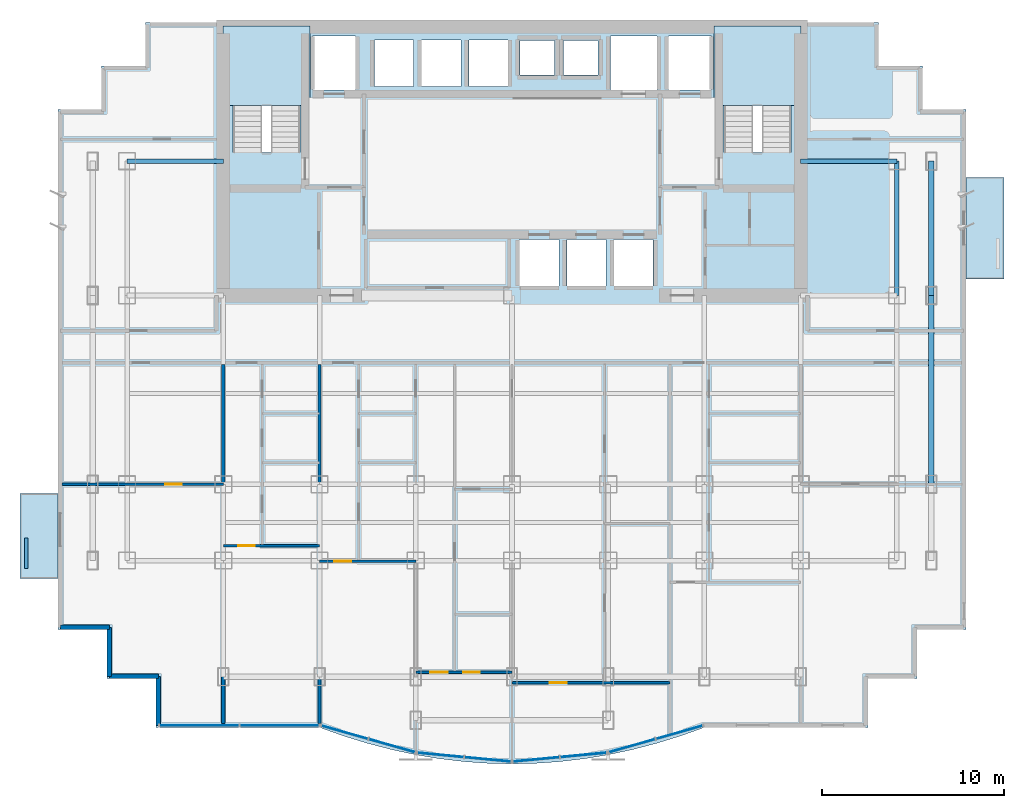
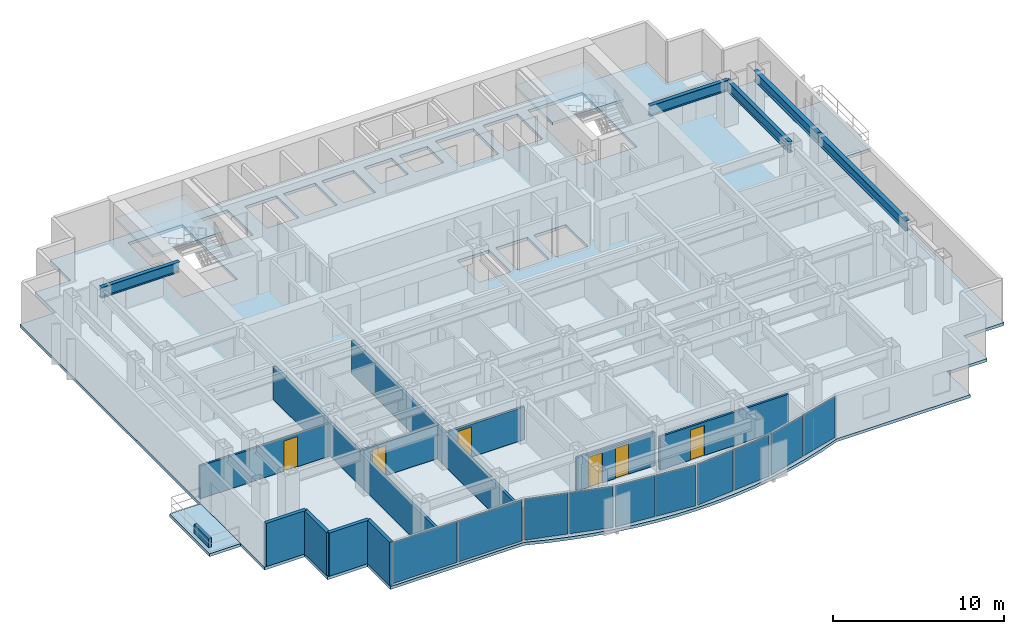
# One storey, part 4 of 10: 12 walls, 10 plates, 6 doors, 5 beams, 5 slabs, 6 openings, 7 elements without a shape of their own.
"""IFC4 building model written with IfcOpenShell, lengths in metres."""

from ifc_helpers import new_model, si_unit, direction, frame, frame_2d, origin, origin_2d, place, context, subcontext, project, spatial, polyline, rectangle, i_section, outline, extrude, source, transform, mapped, material, layer, layer_set, material_profile, profile_set, type_object, element, fill, aggregate, save


model = new_model("IFC4")

# Units and contexts
model_context = context("Model", 3, precision=1e-05, world=origin(), true_north=direction((0.0, 1.0)))
body_context = subcontext(model_context, "Body", "Model", "MODEL_VIEW")
ifc_project = project(units=[si_unit("LENGTHUNIT", "METRE"), si_unit("AREAUNIT", "SQUARE_METRE"), si_unit("VOLUMEUNIT", "CUBIC_METRE"), si_unit("PLANEANGLEUNIT", "RADIAN"), si_unit("MASSUNIT", "GRAM", prefix="KILO")], contexts=[model_context])

# Site, building, storey
site_placement = place(None, origin())
site = spatial("IfcSite", under=ifc_project, at=site_placement, CompositionType="ELEMENT")
building_placement = place(site_placement, origin())
building = spatial("IfcBuilding", under=site, at=building_placement, Name="Qianlan Lanfeng Residences", CompositionType="ELEMENT")
storey_placement = place(building_placement, frame((0.0, 0.0, 114.699951171875)))
storey = spatial("IfcBuildingStorey", under=building, at=storey_placement, Name="L31", CompositionType="ELEMENT", Elevation=114.699951171875)

# Beams
ifc_material_1 = material(Name="Steel SN490B", Category="steel")
ifc_material_profile_1 = material_profile(ifc_material_1, i_section(OverallWidth=0.25, OverallDepth=0.75, WebThickness=0.013916015625, FlangeThickness=0.02490234375, at=origin_2d()), Name="H 750x250x14x25")
ifc_profile_set_1 = profile_set([ifc_material_profile_1], Name="Steel SN490B")
beam_type_1 = type_object("IfcBeamType", Name="G-850", PredefinedType="BEAM", material=ifc_profile_set_1)
for number, where, z_axis, x_axis, name in (
    (1, (5.300048828125, 32.60009765625, 2.715087890625), (1.0, 0.0, 0.0), (0.0, 1.0, 0.0), "Structural beam G-850"),
    (2, (42.39990234375, 32.60009765625, 2.715087890625), (1.0, 0.0, 0.0), (0.0, 1.0, 0.0), "Structural beam G-850"),
):
    element("IfcBeam", number, at=place(storey_placement, frame(where, z_axis=z_axis, x_axis=x_axis)), inside=storey, type_object=beam_type_1, Name=name, PredefinedType="BEAM", context=body_context, shape_type="SweptSolid", body=[
        extrude(i_section(OverallWidth=0.25, OverallDepth=0.75, WebThickness=0.013916015625, FlangeThickness=0.02490234375, at=origin_2d()), origin(), (0.0, 0.0, 1.0), 5.300048828125),
    ])
beam_1_placement = place(storey_placement, frame((47.699951171875, 25.199951171875, 2.715087890625), z_axis=(0.0, 1.0, 0.0), x_axis=(-1.0, 0.0, 0.0)))
element("IfcBeam", 3, at=beam_1_placement, inside=storey, type_object=beam_type_1, Name="Structural beam G-850", PredefinedType="BEAM", context=body_context, shape_type="SweptSolid", body=[
    extrude(i_section(OverallWidth=0.25, OverallDepth=0.75, WebThickness=0.013916015625, FlangeThickness=0.02490234375, at=origin_2d()), origin(), (0.0, 0.0, 1.0), 7.400146484375),
])
ifc_material_profile_2 = material_profile(ifc_material_1, i_section(OverallWidth=0.300048828125, OverallDepth=0.699951171875, WebThickness=0.012939453125, FlangeThickness=0.02392578125, at=origin_2d()), Name="H 700x300x13x24")
ifc_profile_set_2 = profile_set([ifc_material_profile_2], Name="Steel SN490B")
beam_type_2 = type_object("IfcBeamType", Name="SG-750", PredefinedType="SPANDREL", material=ifc_profile_set_2)
beam_2_placement = place(storey_placement, frame((49.60009765625, 14.800048828125, 2.739990234375), z_axis=(0.0, 1.0, 0.0), x_axis=(-1.0, 0.0, 0.0)))
element("IfcBeam", 4, at=beam_2_placement, inside=storey, type_object=beam_type_2, Name="Structural beam SG-750", PredefinedType="SPANDREL", context=body_context, shape_type="SweptSolid", body=[
    extrude(i_section(OverallWidth=0.300048828125, OverallDepth=0.699951171875, WebThickness=0.012939453125, FlangeThickness=0.02392578125, at=origin_2d()), origin(), (0.0, 0.0, 1.0), 10.39990234375),
])
beam_3_placement = place(storey_placement, frame((49.60009765625, 25.199951171875, 2.739990234375), z_axis=(0.0, 1.0, 0.0), x_axis=(-1.0, 0.0, 0.0)))
element("IfcBeam", 5, at=beam_3_placement, inside=storey, type_object=beam_type_2, Name="Structural beam SG-750", PredefinedType="SPANDREL", context=body_context, shape_type="SweptSolid", body=[
    extrude(i_section(OverallWidth=0.300048828125, OverallDepth=0.699951171875, WebThickness=0.012939453125, FlangeThickness=0.02392578125, at=origin_2d()), origin(), (0.0, 0.0, 1.0), 7.400146484375),
])

# Slabs
ifc_material_2 = material(Name="Concrete C42", Category="concrete")
ifc_layer_1 = layer(ifc_material_2, 0.2099609375)
ifc_layer_set_1 = layer_set([ifc_layer_1], Name="Concrete C42")
slab_type_1 = type_object("IfcSlabType", Name="S-BAL-210", PredefinedType="FLOOR", material=ifc_layer_set_1)
slab_1_placement = place(storey_placement, frame((0.0, 0.0, -0.2099609375)))
element("IfcSlab", 6, at=slab_1_placement, inside=storey, type_object=slab_type_1, Name="L31 Planted Tree Balcony Slab WB-S", PredefinedType="FLOOR", context=body_context, shape_type="SweptSolid", body=[
    extrude(outline(polyline([(1.5, 9.60009765625), (1.5, 14.300048828125), (-0.60009765625, 14.300048828125), (-0.60009765625, 9.60009765625), (1.5, 9.60009765625)])), origin(), (0.0, 0.0, 1.0), 0.2099609375),
])
slab_2_placement = place(storey_placement, frame((0.0, 0.0, -0.2099609375)))
element("IfcSlab", 7, at=slab_2_placement, inside=storey, type_object=slab_type_1, Name="L31 Planted Tree Balcony Slab EB-N", PredefinedType="FLOOR", context=body_context, shape_type="SweptSolid", body=[
    extrude(outline(polyline([(51.5, 31.699951171875), (51.5, 26.10009765625), (53.60009765625, 26.10009765625), (53.60009765625, 31.699951171875), (51.5, 31.699951171875)])), origin(), (0.0, 0.0, 1.0), 0.2099609375),
])
ifc_layer_2 = layer(ifc_material_2, 0.2099609375)
ifc_layer_set_2 = layer_set([ifc_layer_2], Name="Concrete C42")
slab_type_2 = type_object("IfcSlabType", Name="S-FL-210", PredefinedType="FLOOR", material=ifc_layer_set_2)
slab_3_placement = place(storey_placement, frame((0.0, 0.0, -0.2099609375)))
element("IfcSlab", 8, at=slab_3_placement, inside=storey, type_object=slab_type_2, Name="L31 Structural Floor Slab", PredefinedType="FLOOR", context=body_context, shape_type="SweptSolid", body=[
    extrude(outline(polyline([(1.5, 6.800048828125), (4.199951171875, 6.800048828125), (4.199951171875, 4.10009765625), (6.89990234375, 4.10009765625), (6.89990234375, 1.39990234375), (15.919921875, 1.39990234375), (17.241943359375, 0.930908203125), (18.56494140625, 0.52490234375), (19.886962890625, 0.180908203125), (21.2099609375, -0.10009765625), (22.531982421875, -0.319091796875), (23.85498046875, -0.47509765625), (25.177001953125, -0.569091796875), (26.5, -0.60009765625), (27.822021484375, -0.569091796875), (29.14501953125, -0.47509765625), (30.467041015625, -0.319091796875), (31.7900390625, -0.10009765625), (33.112060546875, 0.180908203125), (34.43505859375, 0.52490234375), (35.758056640625, 0.930908203125), (37.080078125, 1.39990234375), (46.10009765625, 1.39990234375), (46.10009765625, 4.10009765625), (48.800048828125, 4.10009765625), (48.800048828125, 6.800048828125), (51.5, 6.800048828125), (51.5, 35.449951171875), (49.10009765625, 35.449951171875), (49.10009765625, 37.85009765625), (46.699951171875, 37.85009765625), (46.699951171875, 40.25), (6.300048828125, 40.25), (6.300048828125, 37.85009765625), (3.89990234375, 37.85009765625), (3.89990234375, 35.449951171875), (1.5, 35.449951171875), (1.5, 6.800048828125)]), holes=[polyline([(11.139892578125, 33.080078125), (11.139892578125, 39.5), (14.820068359375, 39.5), (14.820068359375, 33.080078125), (11.139892578125, 33.080078125)]), polyline([(38.179931640625, 33.080078125), (38.179931640625, 39.5), (41.860107421875, 39.5), (41.860107421875, 33.080078125), (38.179931640625, 33.080078125)]), polyline([(15.52001953125, 36.52001953125), (15.52001953125, 39.47998046875), (17.8798828125, 39.47998046875), (17.8798828125, 36.52001953125), (15.52001953125, 36.52001953125)]), polyline([(35.1201171875, 36.52001953125), (35.1201171875, 39.47998046875), (37.47998046875, 39.47998046875), (37.47998046875, 36.52001953125), (35.1201171875, 36.52001953125)]), polyline([(31.919921875, 36.52001953125), (31.919921875, 39.47998046875), (34.47998046875, 39.47998046875), (34.47998046875, 36.52001953125), (31.919921875, 36.52001953125)]), polyline([(26.919921875, 25.719970703125), (26.919921875, 28.280029296875), (29.080078125, 28.280029296875), (29.080078125, 25.719970703125), (26.919921875, 25.719970703125)]), polyline([(29.52001953125, 25.719970703125), (29.52001953125, 28.280029296875), (31.679931640625, 28.280029296875), (31.679931640625, 25.719970703125), (29.52001953125, 25.719970703125)]), polyline([(32.1201171875, 25.719970703125), (32.1201171875, 28.280029296875), (34.280029296875, 28.280029296875), (34.280029296875, 25.719970703125), (32.1201171875, 25.719970703125)]), polyline([(18.919921875, 36.719970703125), (18.919921875, 39.280029296875), (21.080078125, 39.280029296875), (21.080078125, 36.719970703125), (18.919921875, 36.719970703125)]), polyline([(21.52001953125, 36.719970703125), (21.52001953125, 39.280029296875), (23.679931640625, 39.280029296875), (23.679931640625, 36.719970703125), (21.52001953125, 36.719970703125)]), polyline([(24.1201171875, 36.719970703125), (24.1201171875, 39.280029296875), (26.280029296875, 39.280029296875), (26.280029296875, 36.719970703125), (24.1201171875, 36.719970703125)]), polyline([(26.949951171875, 37.35009765625), (26.949951171875, 39.25), (28.85009765625, 39.25), (28.85009765625, 37.35009765625), (26.949951171875, 37.35009765625)]), polyline([(29.35009765625, 37.35009765625), (29.35009765625, 39.25), (31.25, 39.25), (31.25, 37.35009765625), (29.35009765625, 37.35009765625)])]), origin(), (0.0, 0.0, 1.0), 0.2099609375),
])

# Stair, slab
stair_type = type_object("IfcStairType", Name="STR-MAIN", PredefinedType="HALF_TURN_STAIR", material=ifc_material_2)
stair_1_placement = place(storey_placement, origin())
stair_1 = element("IfcStair", 9, at=stair_1_placement, inside=storey, type_object=stair_type, Name="L31 Exit Stair ST-1", PredefinedType="HALF_TURN_STAIR")
ifc_layer_3 = layer(ifc_material_2, 0.179931640625)
ifc_layer_set_3 = layer_set([ifc_layer_3], Name="Concrete C42")
slab_type_3 = type_object("IfcSlabType", Name="S-LND-180", PredefinedType="LANDING", material=ifc_layer_set_3)
slab_4_placement = place(storey_placement, frame((0.0, 0.0, 1.449951171875)))
slab_4 = element("IfcSlab", 10, at=slab_4_placement, type_object=slab_type_3, Name="ST-1 landing 1", PredefinedType="LANDING", context=body_context, shape_type="SweptSolid", body=[
    extrude(outline(polyline([(10.580078125, 35.659912109375), (15.3798828125, 35.659912109375), (15.3798828125, 40.050048828125), (10.580078125, 40.050048828125), (10.580078125, 35.659912109375)])), origin(), (0.0, 0.0, 1.0), 0.2001953125),
])
aggregate(stair_1, [slab_4])

stair_2_placement = place(storey_placement, origin())
stair_2 = element("IfcStair", 11, at=stair_2_placement, inside=storey, type_object=stair_type, Name="L31 Exit Stair ST-2", PredefinedType="HALF_TURN_STAIR")
slab_5_placement = place(storey_placement, frame((0.0, 0.0, 1.449951171875)))
slab_5 = element("IfcSlab", 12, at=slab_5_placement, type_object=slab_type_3, Name="ST-2 landing 1", PredefinedType="LANDING", context=body_context, shape_type="SweptSolid", body=[
    extrude(outline(polyline([(37.6201171875, 35.659912109375), (42.419921875, 35.659912109375), (42.419921875, 40.050048828125), (37.6201171875, 40.050048828125), (37.6201171875, 35.659912109375)])), origin(), (0.0, 0.0, 1.0), 0.2001953125),
])
aggregate(stair_2, [slab_5])

# Curtain wall, plate
ifc_material_3 = material(Name="Anodised Bronze Aluminium 6063-T6", Category="aluminium")
ifc_layer_4 = layer(ifc_material_3, 0.219970703125)
ifc_layer_set_4 = layer_set([ifc_layer_4], Name="Anodised Bronze Aluminium 6063-T6")
curtain_wall_type = type_object("IfcCurtainWallType", Name="CW-03", PredefinedType="NOTDEFINED", material=ifc_layer_set_4)
curtain_wall_1_placement = place(storey_placement, origin())
curtain_wall_1 = element("IfcCurtainWall", 13, at=curtain_wall_1_placement, inside=storey, type_object=curtain_wall_type, Name="L31 Unitised Curtain Wall CWR-L31-02 (CW-03)", PredefinedType="NOTDEFINED")
ifc_material_4 = material(Name="Perforated Anodised Bronze Aluminium Panel", Category="aluminium")
ifc_layer_5 = layer(ifc_material_4, 0.0419921875)
ifc_layer_set_5 = layer_set([ifc_layer_5], Name="Perforated Anodised Bronze Aluminium Panel")
plate_type_1 = type_object("IfcPlateType", Name="PNL-PRF-BRZ", PredefinedType="CURTAIN_PANEL", material=ifc_layer_set_5)
shared_shape_1 = source(origin(), body_context, "Body", "SweptSolid", [
    extrude(rectangle(XDim=2.632080078125, YDim=0.0419921875, at=origin_2d()), origin(), (0.0, 0.0, 1.0), 2.931884765625),
])
plate_1_placement = place(storey_placement, frame((19.889892578125, 0.39892578125, 0.0791015625), z_axis=(0.0, 0.0, 1.0), x_axis=(0.961989074302, -0.273087936247, 0.0)))
plate_1 = element("IfcPlate", 14, at=plate_1_placement, type_object=plate_type_1, Name="CWR-L31-02 Curtain Panel 2", PredefinedType="CURTAIN_PANEL", context=body_context, shape_type="MappedRepresentation", body=[
    mapped(shared_shape_1, transform((0.0, 0.0, 0.0), scale=1.0)),
])

# Curtain wall, plates
curtain_wall_2_placement = place(storey_placement, origin())
curtain_wall_2 = element("IfcCurtainWall", 15, at=curtain_wall_2_placement, inside=storey, type_object=curtain_wall_type, Name="L31 Unitised Curtain Wall CWR-L31-01 (CW-03)", PredefinedType="NOTDEFINED")
ifc_material_5 = material(Name="Dark Bronze Tinted Insulated Glass", Category="glass")
ifc_layer_6 = layer(ifc_material_5, 0.0380859375)
ifc_layer_set_6 = layer_set([ifc_layer_6], Name="Dark Bronze Tinted Insulated Glass")
plate_type_2 = type_object("IfcPlateType", Name="PNL-GLZ-BRZ", PredefinedType="CURTAIN_PANEL", material=ifc_layer_set_6)
shared_shape_2 = source(origin(), body_context, "Body", "SweptSolid", [
    extrude(rectangle(XDim=4.342529296875, YDim=0.0380859375, at=origin_2d()), origin(), (0.0, 0.0, 1.0), 2.931884765625),
])
plate_2_placement = place(storey_placement, frame((9.270263671875, 1.52001953125, 0.0791015625), z_axis=(0.0, 0.0, 1.0), x_axis=(1.0, 0.0, 0.0)))
plate_2 = element("IfcPlate", 16, at=plate_2_placement, type_object=plate_type_2, Name="CWR-L31-01 Curtain Panel 1", PredefinedType="CURTAIN_PANEL", context=body_context, shape_type="MappedRepresentation", body=[
    mapped(shared_shape_2, transform((0.0, 0.0, 0.0), scale=1.0)),
])
plate_3_placement = place(storey_placement, frame((13.690673828125, 1.52001953125, 0.0791015625), z_axis=(0.0, 0.0, 1.0), x_axis=(1.0, 0.0, 0.0)))
plate_3 = element("IfcPlate", 17, at=plate_3_placement, type_object=plate_type_2, Name="CWR-L31-01 Curtain Panel 2", PredefinedType="CURTAIN_PANEL", context=body_context, shape_type="MappedRepresentation", body=[
    mapped(shared_shape_2, transform((0.0, 0.0, 0.0), scale=1.0)),
])
aggregate(curtain_wall_2, [plate_2, plate_3])

# Plate
shared_shape_3 = source(origin(), body_context, "Body", "SweptSolid", [
    extrude(rectangle(XDim=2.632080078125, YDim=0.0380859375, at=origin_2d()), origin(), (0.0, 0.0, 1.0), 2.931884765625),
])
plate_4_placement = place(storey_placement, frame((17.282958984375, 1.138916015625, 0.0791015625), z_axis=(0.0, 0.0, 1.0), x_axis=(0.961989074302, -0.273087936247, 0.0)))
plate_4 = element("IfcPlate", 18, at=plate_4_placement, type_object=plate_type_2, Name="CWR-L31-02 Curtain Panel 1", PredefinedType="CURTAIN_PANEL", context=body_context, shape_type="MappedRepresentation", body=[
    mapped(shared_shape_3, transform((0.0, 0.0, 0.0), scale=1.0)),
])

aggregate(curtain_wall_1, [plate_4, plate_1])

# Curtain wall, plates
curtain_wall_3_placement = place(storey_placement, origin())
curtain_wall_3 = element("IfcCurtainWall", 19, at=curtain_wall_3_placement, inside=storey, type_object=curtain_wall_type, Name="L31 Unitised Curtain Wall CWR-L31-05 (CW-03)", PredefinedType="NOTDEFINED")
plate_5_placement = place(storey_placement, frame((33.110107421875, 0.39892578125, 0.0791015625), z_axis=(0.0, 0.0, 1.0), x_axis=(0.961989074302, 0.273087936247, 0.0)))
plate_5 = element("IfcPlate", 20, at=plate_5_placement, type_object=plate_type_2, Name="CWR-L31-05 Curtain Panel 1", PredefinedType="CURTAIN_PANEL", context=body_context, shape_type="MappedRepresentation", body=[
    mapped(shared_shape_3, transform((0.0, 0.0, 0.0), scale=1.0)),
])
plate_6_placement = place(storey_placement, frame((35.717041015625, 1.138916015625, 0.0791015625), z_axis=(0.0, 0.0, 1.0), x_axis=(0.961989074302, 0.273087936247, 0.0)))
plate_6 = element("IfcPlate", 21, at=plate_6_placement, type_object=plate_type_2, Name="CWR-L31-05 Curtain Panel 2", PredefinedType="CURTAIN_PANEL", context=body_context, shape_type="MappedRepresentation", body=[
    mapped(shared_shape_3, transform((0.0, 0.0, 0.0), scale=1.0)),
])
aggregate(curtain_wall_3, [plate_5, plate_6])

# Curtain wall, plate
curtain_wall_4_placement = place(storey_placement, origin())
curtain_wall_4 = element("IfcCurtainWall", 22, at=curtain_wall_4_placement, inside=storey, type_object=curtain_wall_type, Name="L31 Unitised Curtain Wall CWR-L31-03 (CW-03)", PredefinedType="NOTDEFINED")
shared_shape_4 = source(origin(), body_context, "Body", "SweptSolid", [
    extrude(rectangle(XDim=2.527587890625, YDim=0.0380859375, at=origin_2d()), origin(), (0.0, 0.0, 1.0), 2.931884765625),
])
plate_7_placement = place(storey_placement, frame((22.56884765625, -0.1083984375, 0.0791015625), z_axis=(0.0, 0.0, 1.0), x_axis=(0.995561471839, -0.094113526067, 0.0)))
plate_7 = element("IfcPlate", 23, at=plate_7_placement, type_object=plate_type_2, Name="CWR-L31-03 Curtain Panel 1", PredefinedType="CURTAIN_PANEL", context=body_context, shape_type="MappedRepresentation", body=[
    mapped(shared_shape_4, transform((0.0, 0.0, 0.0), scale=1.0)),
])

curtain_wall_5_placement = place(storey_placement, origin())
curtain_wall_5 = element("IfcCurtainWall", 24, at=curtain_wall_5_placement, inside=storey, type_object=curtain_wall_type, Name="L31 Unitised Curtain Wall CWR-L31-04 (CW-03)", PredefinedType="NOTDEFINED")
plate_8_placement = place(storey_placement, frame((27.8369140625, -0.353515625, 0.0791015625), z_axis=(0.0, 0.0, 1.0), x_axis=(0.995561471839, 0.094113526067, 0.0)))
plate_8 = element("IfcPlate", 25, at=plate_8_placement, type_object=plate_type_2, Name="CWR-L31-04 Curtain Panel 1", PredefinedType="CURTAIN_PANEL", context=body_context, shape_type="MappedRepresentation", body=[
    mapped(shared_shape_4, transform((0.0, 0.0, 0.0), scale=1.0)),
])

# Plate
shared_shape_5 = source(origin(), body_context, "Body", "SweptSolid", [
    extrude(rectangle(XDim=2.52783203125, YDim=0.0380859375, at=origin_2d()), origin(), (0.0, 0.0, 1.0), 2.931884765625),
])
plate_9_placement = place(storey_placement, frame((25.1630859375, -0.353515625, 0.0791015625), z_axis=(0.0, 0.0, 1.0), x_axis=(0.995561471839, -0.094113526067, 0.0)))
plate_9 = element("IfcPlate", 26, at=plate_9_placement, type_object=plate_type_2, Name="CWR-L31-03 Curtain Panel 2", PredefinedType="CURTAIN_PANEL", context=body_context, shape_type="MappedRepresentation", body=[
    mapped(shared_shape_5, transform((0.0, 0.0, 0.0), scale=1.0)),
])

aggregate(curtain_wall_4, [plate_7, plate_9])

shared_shape_6 = source(origin(), body_context, "Body", "SweptSolid", [
    extrude(rectangle(XDim=2.52783203125, YDim=0.0419921875, at=origin_2d()), origin(), (0.0, 0.0, 1.0), 2.931884765625),
])
plate_10_placement = place(storey_placement, frame((30.43115234375, -0.1083984375, 0.0791015625), z_axis=(0.0, 0.0, 1.0), x_axis=(0.995561471839, 0.094113526067, 0.0)))
plate_10 = element("IfcPlate", 27, at=plate_10_placement, type_object=plate_type_1, Name="CWR-L31-04 Curtain Panel 2", PredefinedType="CURTAIN_PANEL", context=body_context, shape_type="MappedRepresentation", body=[
    mapped(shared_shape_6, transform((0.0, 0.0, 0.0), scale=1.0)),
])

aggregate(curtain_wall_5, [plate_8, plate_10])

# Walls
ifc_layer_7 = layer(ifc_material_2, 0.239990234375)
ifc_layer_set_7 = layer_set([ifc_layer_7], Name="Concrete C42")
wall_type_1 = type_object("IfcWallType", Name="EW-240", PredefinedType="SOLIDWALL", material=ifc_layer_set_7)
for number, where, z_axis, x_axis, name in (
    (28, (1.6201171875, 6.919921875, 0.0), (0.0, 0.0, 1.0), (1.0, 0.0, 0.0), "L31 Exterior Facade Spandrel Wall 1"),
    (29, (4.320068359375, 6.919921875, 0.0), (0.0, 0.0, 1.0), (0.0, -1.0, 0.0), "L31 Exterior Facade Spandrel Wall 2"),
    (30, (4.320068359375, 4.219970703125, 0.0), (0.0, 0.0, 1.0), (1.0, 0.0, 0.0), "L31 Exterior Facade Spandrel Wall 3"),
    (31, (7.02001953125, 4.219970703125, 0.0), (0.0, 0.0, 1.0), (0.0, -1.0, 0.0), "L31 Exterior Facade Spandrel Wall 4"),
):
    element("IfcWall", number, at=place(storey_placement, frame(where, z_axis=z_axis, x_axis=x_axis)), inside=storey, type_object=wall_type_1, Name=name, PredefinedType="SOLIDWALL", context=body_context, shape_type="SweptSolid", body=[
        extrude(rectangle(XDim=2.699951171875, YDim=0.239990234375, at=frame_2d((1.35009765625, 0.0))), origin(), (0.0, 0.0, 1.0), 3.090087890625),
    ])
ifc_layer_8 = layer(ifc_material_2, 0.199951171875)
ifc_layer_set_8 = layer_set([ifc_layer_8], Name="Concrete C42")
wall_type_2 = type_object("IfcWallType", Name="PL-TREE-200", PredefinedType="PARAPET", material=ifc_layer_set_8)
wall_1_placement = place(storey_placement, frame((-0.25, 10.14990234375, 0.0), z_axis=(0.0, 0.0, 1.0), x_axis=(0.0, 1.0, 0.0)))
element("IfcWall", 32, at=wall_1_placement, inside=storey, type_object=wall_type_2, Name="L31 West Tree Planter Curb WB-S", PredefinedType="PARAPET", context=body_context, shape_type="SweptSolid", body=[
    extrude(rectangle(XDim=1.7001953125, YDim=0.199951171875, at=frame_2d((0.85009765625, 0.0))), origin(), (0.0, 0.0, 1.0), 0.650146484375),
])

# Wall, opening, door
ifc_material_6 = material(Name="Moisture-Resistant Gypsum Partition 135 mm")
ifc_layer_9 = layer(ifc_material_6, 0.135009765625)
ifc_layer_set_9 = layer_set([ifc_layer_9], Name="Moisture-Resistant Gypsum Partition 135 mm")
wall_type_3 = type_object("IfcWallType", Name="PW-135", PredefinedType="PARTITIONING", material=ifc_layer_set_9)
wall_2_placement = place(storey_placement, frame((10.60009765625, 11.419921875, 0.0), z_axis=(0.0, 0.0, 1.0), x_axis=(1.0, 0.0, 0.0)))
wall_2 = element("IfcWall", 33, at=wall_2_placement, inside=storey, type_object=wall_type_3, Name="L31 U01 Living Divider", PredefinedType="PARTITIONING", context=body_context, shape_type="SweptSolid", body=[
    extrude(rectangle(XDim=5.2998046875, YDim=0.135009765625, at=frame_2d((2.64990234375, 0.0))), origin(), (0.0, 0.0, 1.0), 2.380126953125),
])
opening_1_placement = place(wall_2_placement, frame((0.81494140625, 0.0, 0.0)))
opening_1 = element("IfcOpeningElement", 34, at=opening_1_placement, cuts=wall_2, Name="Opening L31-D17", PredefinedType="OPENING", context=body_context, shape_type="SweptSolid", body=[
    extrude(rectangle(XDim=0.919921875, YDim=2.14990234375, at=frame_2d((0.4599609375, 1.074951171875))), frame((0.0, 0.07763671875, 0.0), z_axis=(0.0, -1.0, 0.0), x_axis=(1.0, 0.0, 0.0)), (0.0, 0.0, 1.0), 0.155029296875),
])
ifc_material_7 = material(Name="Glazed Timber Kitchen/Study Door", Category="wood")
door_type_1 = type_object("IfcDoorType", Name="DT-INT", OperationType="NOTDEFINED", PredefinedType="DOOR", material=ifc_material_7)
door_1_placement = place(opening_1_placement, origin())
door_1 = element("IfcDoor", 35, at=door_1_placement, inside=storey, type_object=door_type_1, Name="L31 U01 Living Passage Door L31-D17 (DT-INT)", OperationType="SINGLE_SWING_LEFT", OverallHeight=2.14990234375, OverallWidth=0.919921875, PredefinedType="DOOR", context=body_context, shape_type="SweptSolid", body=[
    extrude(rectangle(XDim=0.919921875, YDim=2.14990234375, at=frame_2d((0.4599609375, 1.074951171875))), frame((0.0, 0.02490234375, 0.0), z_axis=(0.0, -1.0, 0.0), x_axis=(1.0, 0.0, 0.0)), (0.0, 0.0, 1.0), 0.050048828125),
])
fill(opening_1, door_1)

wall_3_placement = place(storey_placement, frame((15.89990234375, 10.56005859375, 0.0), z_axis=(0.0, 0.0, 1.0), x_axis=(1.0, 0.0, 0.0)))
wall_3 = element("IfcWall", 36, at=wall_3_placement, inside=storey, type_object=wall_type_3, Name="L31 U02 Living Divider", PredefinedType="PARTITIONING", context=body_context, shape_type="SweptSolid", body=[
    extrude(rectangle(XDim=5.300048828125, YDim=0.135009765625, at=frame_2d((2.64990234375, 0.0))), origin(), (0.0, 0.0, 1.0), 2.3349609375),
])
opening_2_placement = place(wall_3_placement, frame((0.81494140625, 0.0, 0.0)))
opening_2 = element("IfcOpeningElement", 37, at=opening_2_placement, cuts=wall_3, Name="Opening L31-D24", PredefinedType="OPENING", context=body_context, shape_type="SweptSolid", body=[
    extrude(rectangle(XDim=0.919921875, YDim=2.14990234375, at=frame_2d((0.4599609375, 1.074951171875))), frame((0.0, 0.07763671875, 0.0), z_axis=(0.0, -1.0, 0.0), x_axis=(1.0, 0.0, 0.0)), (0.0, 0.0, 1.0), 0.155029296875),
])
door_2_placement = place(opening_2_placement, origin())
door_2 = element("IfcDoor", 38, at=door_2_placement, inside=storey, type_object=door_type_1, Name="L31 U02 Living Passage Door L31-D24 (DT-INT)", OperationType="SINGLE_SWING_RIGHT", OverallHeight=2.14990234375, OverallWidth=0.919921875, PredefinedType="DOOR", context=body_context, shape_type="SweptSolid", body=[
    extrude(rectangle(XDim=0.919921875, YDim=2.14990234375, at=frame_2d((0.4599609375, 1.074951171875))), frame((0.0, 0.02490234375, 0.0), z_axis=(0.0, -1.0, 0.0), x_axis=(1.0, 0.0, 0.0)), (0.0, 0.0, 1.0), 0.050048828125),
])
fill(opening_2, door_2)

# Wall, openings, doors
wall_4_placement = place(storey_placement, frame((21.199951171875, 4.447021484375, 0.0), z_axis=(0.0, 0.0, 1.0), x_axis=(1.0, 0.0, 0.0)))
wall_4 = element("IfcWall", 39, at=wall_4_placement, inside=storey, type_object=wall_type_3, Name="L31 U02 Master Bedroom North Wall", PredefinedType="PARTITIONING", context=body_context, shape_type="SweptSolid", body=[
    extrude(rectangle(XDim=5.300048828125, YDim=0.135009765625, at=frame_2d((2.64990234375, 0.0))), origin(), (0.0, 0.0, 1.0), 2.380126953125),
])
opening_3_placement = place(wall_4_placement, frame((0.800048828125, 0.0, 0.0)))
opening_3 = element("IfcOpeningElement", 40, at=opening_3_placement, cuts=wall_4, Name="Opening L31-D28", PredefinedType="OPENING", context=body_context, shape_type="SweptSolid", body=[
    extrude(rectangle(XDim=0.949951171875, YDim=2.14990234375, at=frame_2d((0.47509765625, 1.074951171875))), frame((0.0, 0.07763671875, 0.0), z_axis=(0.0, -1.0, 0.0), x_axis=(1.0, 0.0, 0.0)), (0.0, 0.0, 1.0), 0.155029296875),
])
opening_4_placement = place(wall_4_placement, frame((2.625, 0.0, 0.0)))
opening_4 = element("IfcOpeningElement", 41, at=opening_4_placement, cuts=wall_4, Name="Opening L31-D29", PredefinedType="OPENING", context=body_context, shape_type="SweptSolid", body=[
    extrude(rectangle(XDim=0.89990234375, YDim=2.14990234375, at=frame_2d((0.449951171875, 1.074951171875))), frame((0.0, 0.07763671875, 0.0), z_axis=(0.0, -1.0, 0.0), x_axis=(1.0, 0.0, 0.0)), (0.0, 0.0, 1.0), 0.155029296875),
])
ifc_material_8 = material(Name="Painted Solid-Core Timber Leaf", Category="wood")
door_type_2 = type_object("IfcDoorType", Name="DT-BED", OperationType="NOTDEFINED", PredefinedType="DOOR", material=ifc_material_8)
door_3_placement = place(opening_3_placement, origin())
door_3 = element("IfcDoor", 42, at=door_3_placement, inside=storey, type_object=door_type_2, Name="L31 U02 Master Bedroom Door L31-D28 (DT-BED)", OperationType="SINGLE_SWING_RIGHT", OverallHeight=2.14990234375, OverallWidth=0.949951171875, PredefinedType="DOOR", context=body_context, shape_type="SweptSolid", body=[
    extrude(rectangle(XDim=0.949951171875, YDim=2.14990234375, at=frame_2d((0.47509765625, 1.074951171875))), frame((0.0, 0.02490234375, 0.0), z_axis=(0.0, -1.0, 0.0), x_axis=(1.0, 0.0, 0.0)), (0.0, 0.0, 1.0), 0.050048828125),
])
fill(opening_3, door_3)
ifc_material_9 = material(Name="Moisture-Resistant Timber Leaf", Category="wood")
door_type_3 = type_object("IfcDoorType", Name="DT-WC", OperationType="NOTDEFINED", PredefinedType="DOOR", material=ifc_material_9)
door_4_placement = place(opening_4_placement, origin())
door_4 = element("IfcDoor", 43, at=door_4_placement, inside=storey, type_object=door_type_3, Name="L31 U02 En-Suite Bathroom Door L31-D29 (DT-WC)", OperationType="SINGLE_SWING_RIGHT", OverallHeight=2.14990234375, OverallWidth=0.89990234375, PredefinedType="DOOR", context=body_context, shape_type="SweptSolid", body=[
    extrude(rectangle(XDim=0.89990234375, YDim=2.14990234375, at=frame_2d((0.449951171875, 1.074951171875))), frame((0.0, 0.02490234375, 0.0), z_axis=(0.0, -1.0, 0.0), x_axis=(1.0, 0.0, 0.0)), (0.0, 0.0, 1.0), 0.050048828125),
])
fill(opening_4, door_4)

# Wall, opening, door
wall_5_placement = place(storey_placement, frame((26.5, 3.875, 0.0), z_axis=(0.0, 0.0, 1.0), x_axis=(1.0, 0.0, 0.0)))
wall_5 = element("IfcWall", 44, at=wall_5_placement, inside=storey, type_object=wall_type_3, Name="L31 U02 Bedroom 2 North Wall", PredefinedType="PARTITIONING", context=body_context, shape_type="SweptSolid", body=[
    extrude(rectangle(XDim=8.699951171875, YDim=0.135009765625, at=frame_2d((4.35009765625, 0.0))), origin(), (0.0, 0.0, 1.0), 2.380126953125),
])
opening_5_placement = place(wall_5_placement, frame((2.074951171875, 0.0, 0.0)))
opening_5 = element("IfcOpeningElement", 45, at=opening_5_placement, cuts=wall_5, Name="Opening L31-D32", PredefinedType="OPENING", context=body_context, shape_type="SweptSolid", body=[
    extrude(rectangle(XDim=0.949951171875, YDim=2.14990234375, at=frame_2d((0.47509765625, 1.074951171875))), frame((0.0, 0.07763671875, 0.0), z_axis=(0.0, -1.0, 0.0), x_axis=(1.0, 0.0, 0.0)), (0.0, 0.0, 1.0), 0.155029296875),
])
door_5_placement = place(opening_5_placement, origin())
door_5 = element("IfcDoor", 46, at=door_5_placement, inside=storey, type_object=door_type_2, Name="L31 U02 Bedroom 2 Door L31-D32 (DT-BED)", OperationType="SINGLE_SWING_LEFT", OverallHeight=2.14990234375, OverallWidth=0.949951171875, PredefinedType="DOOR", context=body_context, shape_type="SweptSolid", body=[
    extrude(rectangle(XDim=0.949951171875, YDim=2.14990234375, at=frame_2d((0.47509765625, 1.074951171875))), frame((0.0, 0.02490234375, 0.0), z_axis=(0.0, -1.0, 0.0), x_axis=(1.0, 0.0, 0.0)), (0.0, 0.0, 1.0), 0.050048828125),
])
fill(opening_5, door_5)

wall_6_placement = place(storey_placement, frame((1.719970703125, 14.800048828125, 0.0), z_axis=(0.0, 0.0, 1.0), x_axis=(1.0, 0.0, 0.0)))
wall_6 = element("IfcWall", 47, at=wall_6_placement, inside=storey, type_object=wall_type_3, Name="L31 SWP Mid Partition", PredefinedType="PARTITIONING", context=body_context, shape_type="SweptSolid", body=[
    extrude(rectangle(XDim=8.880126953125, YDim=0.135009765625, at=frame_2d((4.43994140625, 0.0))), origin(), (0.0, 0.0, 1.0), 2.3349609375),
])
opening_6_placement = place(wall_6_placement, frame((5.679931640625, 0.0, 0.0)))
opening_6 = element("IfcOpeningElement", 48, at=opening_6_placement, cuts=wall_6, Name="Opening L31-D40", PredefinedType="OPENING", context=body_context, shape_type="SweptSolid", body=[
    extrude(rectangle(XDim=0.919921875, YDim=2.14990234375, at=frame_2d((0.4599609375, 1.074951171875))), frame((0.0, 0.07763671875, 0.0), z_axis=(0.0, -1.0, 0.0), x_axis=(1.0, 0.0, 0.0)), (0.0, 0.0, 1.0), 0.155029296875),
])
door_6_placement = place(opening_6_placement, origin())
door_6 = element("IfcDoor", 49, at=door_6_placement, inside=storey, type_object=door_type_1, Name="L31 SWP Inner Door L31-D40 (DT-INT)", OperationType="SINGLE_SWING_LEFT", OverallHeight=2.14990234375, OverallWidth=0.919921875, PredefinedType="DOOR", context=body_context, shape_type="SweptSolid", body=[
    extrude(rectangle(XDim=0.919921875, YDim=2.14990234375, at=frame_2d((0.4599609375, 1.074951171875))), frame((0.0, 0.02490234375, 0.0), z_axis=(0.0, -1.0, 0.0), x_axis=(1.0, 0.0, 0.0)), (0.0, 0.0, 1.0), 0.050048828125),
])
fill(opening_6, door_6)

# Walls
ifc_material_10 = material(Name="Double-Layer Acoustic Gypsum Stud Wall 180 mm")
ifc_layer_10 = layer(ifc_material_10, 0.179931640625)
ifc_layer_set_10 = layer_set([ifc_layer_10], Name="Double-Layer Acoustic Gypsum Stud Wall 180 mm")
wall_type_4 = type_object("IfcWallType", Name="PW-180", PredefinedType="PARTITIONING", material=ifc_layer_set_10)
for number, where, z_axis, x_axis, name in (
    (50, (10.60009765625, 1.6201171875, 0.0), (0.0, 0.0, 1.0), (0.0, 1.0, 0.0), "L31 Wing Boundary Party Wall W0"),
    (51, (15.89990234375, 1.6201171875, 0.0), (0.0, 0.0, 1.0), (0.0, 1.0, 0.0), "L31 Inter-Tenancy Party Wall 2"),
):
    element("IfcWall", number, at=place(storey_placement, frame(where, z_axis=z_axis, x_axis=x_axis)), inside=storey, type_object=wall_type_4, Name=name, PredefinedType="PARTITIONING", context=body_context, shape_type="SweptSolid", body=[
        extrude(rectangle(XDim=19.77978515625, YDim=0.179931640625, at=frame_2d((9.889892578125, 0.0))), origin(), (0.0, 0.0, 1.0), 2.3349609375),
    ])

save(model, "model.ifc")
